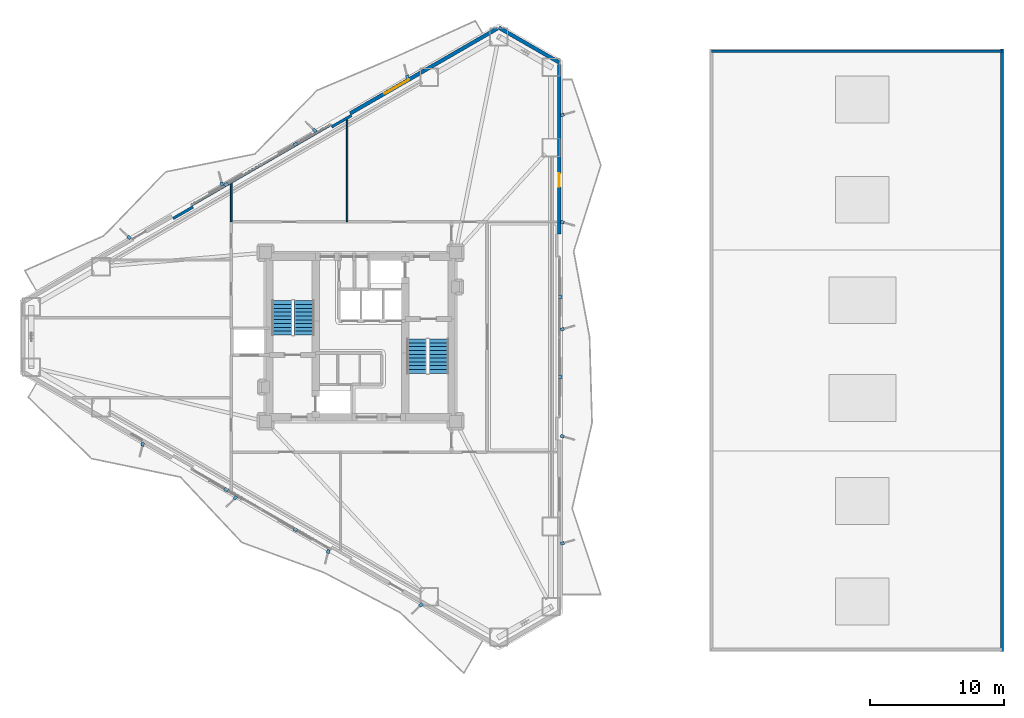
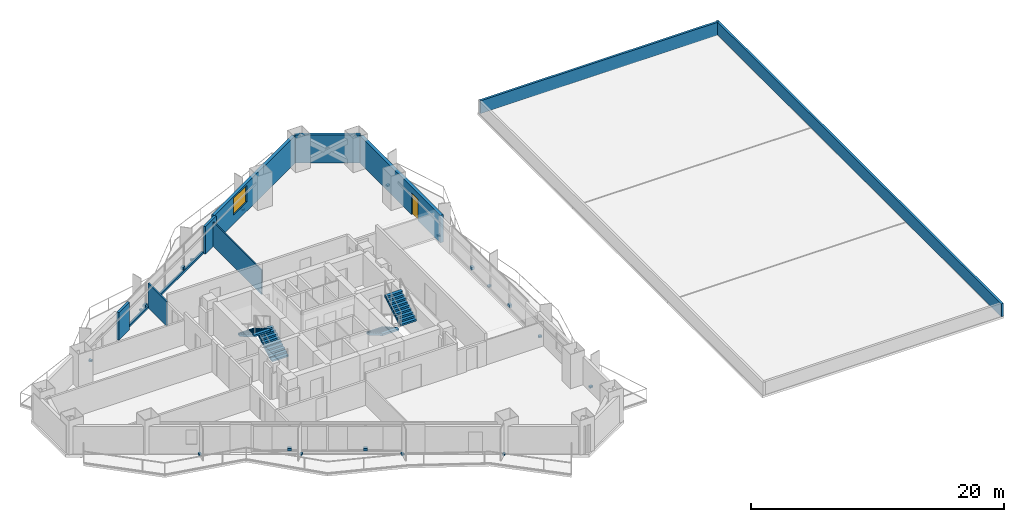
# One storey, part 14 of 16: 19 discrete accessories, 10 walls, 4 stair flights, 1 door, 1 window, 2 openings, 2 elements without a shape of their own.
"""IFC4 building model written with IfcOpenShell, lengths in metres."""

from ifc_helpers import new_model, si_unit, direction, frame, frame_2d, origin, origin_2d, place, context, subcontext, project, spatial, polyline, rectangle, outline, extrude, material, layer, layer_set, type_object, element, fill, aggregate, save


model = new_model("IFC4")

# Units and contexts
model_context = context("Model", 3, precision=1e-05, world=origin(), true_north=direction((0.0, 1.0)))
body_context = subcontext(model_context, "Body", "Model", "MODEL_VIEW")
ifc_project = project(units=[si_unit("LENGTHUNIT", "METRE"), si_unit("AREAUNIT", "SQUARE_METRE"), si_unit("VOLUMEUNIT", "CUBIC_METRE"), si_unit("PLANEANGLEUNIT", "RADIAN"), si_unit("MASSUNIT", "GRAM", prefix="KILO")], contexts=[model_context])

# Site, building, storey
site_placement = place(None, origin())
site = spatial("IfcSite", under=ifc_project, at=site_placement, CompositionType="ELEMENT")
building_placement = place(site_placement, origin())
building = spatial("IfcBuilding", under=site, at=building_placement, Name="Mersakhor Tower and Convention Hall", CompositionType="ELEMENT")
storey_placement = place(building_placement, frame((0.0, 0.0, 19.199951171875)))
storey = spatial("IfcBuildingStorey", under=building, at=storey_placement, Name="L04", CompositionType="ELEMENT", Elevation=19.199951171875)

# Wall
ifc_material_1 = material(Name="Precast concrete C45/55", Category="concrete")
ifc_layer_1 = layer(ifc_material_1, 0.27490234375)
ifc_layer_set_1 = layer_set([ifc_layer_1], Name="Precast concrete C45/55")
wall_type_1 = type_object("IfcWallType", Name="WL-EXT-275", PredefinedType="SOLIDWALL", material=ifc_layer_set_1)
wall_1_placement = place(storey_placement, frame((39.3369140625, 49.865234375, 0.0), z_axis=(0.0, 0.0, 1.0), x_axis=(0.866043601342, -0.499968479581, 0.0)))
element("IfcWall", 1, at=wall_1_placement, inside=storey, type_object=wall_type_1, Name="L04 Chamfer Braced Spandrel Wall C1", PredefinedType="SOLIDWALL", context=body_context, shape_type="SweptSolid", body=[
    extrude(rectangle(XDim=5.211181640625, YDim=0.27490234375, at=frame_2d((2.60546875, 0.0))), origin(), (0.0, 0.0, 1.0), 2.66015625),
])

# Wall, opening, window
wall_2_placement = place(storey_placement, frame((28.231689453125, 43.453857421875, 0.0), z_axis=(0.0, 0.0, 1.0), x_axis=(0.86603192154, 0.499988710747, 0.0)))
wall_2 = element("IfcWall", 2, at=wall_2_placement, inside=storey, type_object=wall_type_1, Name="L04 Exterior Facade Wall F1-B3", PredefinedType="SOLIDWALL", context=body_context, shape_type="SweptSolid", body=[
    extrude(rectangle(XDim=12.673095703125, YDim=0.27490234375, at=frame_2d((6.33642578125, 0.0))), origin(), (0.0, 0.0, 1.0), 2.66015625),
])
opening_1_placement = place(wall_2_placement, frame((2.9599609375, 0.0, 0.89990234375)))
opening_1 = element("IfcOpeningElement", 3, at=opening_1_placement, cuts=wall_2, Name="Opening W-04", PredefinedType="OPENING", context=body_context, shape_type="SweptSolid", body=[
    extrude(rectangle(XDim=2.10009765625, YDim=1.60009765625, at=frame_2d((1.050048828125, 0.800048828125))), frame((0.0, 0.1474609375, 0.0), z_axis=(0.0, -1.0, 0.0), x_axis=(1.0, 0.0, 0.0)), (0.0, 0.0, 1.0), 0.294921875),
])
ifc_material_2 = material(Name="Dark solar low-E glazed aluminium window", Category="aluminium")
window_type = type_object("IfcWindowType", Name="WN-RES-210x160", PartitioningType="SINGLE_PANEL", PredefinedType="WINDOW", material=ifc_material_2)
window_placement = place(opening_1_placement, origin())
window = element("IfcWindow", 4, at=window_placement, inside=storey, type_object=window_type, Name="L04 Facade Punched Window F1-B3", OverallHeight=1.60009765625, OverallWidth=2.10009765625, PartitioningType="SINGLE_PANEL", PredefinedType="WINDOW", context=body_context, shape_type="SweptSolid", body=[
    extrude(rectangle(XDim=2.10009765625, YDim=1.60009765625, at=frame_2d((1.050048828125, 0.800048828125))), frame((0.0, 0.030029296875, 0.0), z_axis=(0.0, -1.0, 0.0), x_axis=(1.0, 0.0, 0.0)), (0.0, 0.0, 1.0), 0.06005859375),
])
fill(opening_1, window)

# Wall, opening, door
wall_3_placement = place(storey_placement, frame((43.85009765625, 47.109619140625, 0.0), z_axis=(0.0, 0.0, 1.0), x_axis=(0.0, -1.0, 0.0)))
wall_3 = element("IfcWall", 5, at=wall_3_placement, inside=storey, type_object=wall_type_1, Name="L04 Exterior Facade Wall F2-B1", PredefinedType="SOLIDWALL", context=body_context, shape_type="SweptSolid", body=[
    extrude(rectangle(XDim=12.673095703125, YDim=0.27490234375, at=frame_2d((6.33642578125, 0.0))), origin(), (0.0, 0.0, 1.0), 2.66015625),
])
opening_2_placement = place(wall_3_placement, frame((8.135986328125, 0.0, 0.0)))
opening_2 = element("IfcOpeningElement", 6, at=opening_2_placement, cuts=wall_3, Name="Opening BD-01", PredefinedType="OPENING", context=body_context, shape_type="SweptSolid", body=[
    extrude(rectangle(XDim=1.0, YDim=2.10009765625, at=frame_2d((0.5, 1.050048828125))), frame((0.0, 0.1474609375, 0.0), z_axis=(0.0, -1.0, 0.0), x_axis=(1.0, 0.0, 0.0)), (0.0, 0.0, 1.0), 0.294921875),
])
ifc_material_3 = material(Name="Thermally broken dark aluminium and safety glass", Category="aluminium")
door_type = type_object("IfcDoorType", Name="DR-BAL-100x210", OperationType="NOTDEFINED", PredefinedType="DOOR", material=ifc_material_3)
door_placement = place(opening_2_placement, origin())
door = element("IfcDoor", 7, at=door_placement, inside=storey, type_object=door_type, Name="L04 Balcony Terrace Door F2-B1", OperationType="SINGLE_SWING_LEFT", OverallHeight=2.10009765625, OverallWidth=1.0, PredefinedType="DOOR", context=body_context, shape_type="SweptSolid", body=[
    extrude(rectangle(XDim=1.0, YDim=2.10009765625, at=frame_2d((0.5, 1.050048828125))), frame((0.0, 0.02490234375, 0.0), z_axis=(0.0, -1.0, 0.0), x_axis=(1.0, 0.0, 0.0)), (0.0, 0.0, 1.0), 0.050048828125),
])
fill(opening_2, door)

# Walls
ifc_material_4 = material(Name="Precast concrete C40/50", Category="concrete")
ifc_layer_2 = layer(ifc_material_4, 0.199951171875)
ifc_layer_set_2 = layer_set([ifc_layer_2], Name="Precast concrete C40/50")
wall_type_2 = type_object("IfcWallType", Name="WL-PAR-200", PredefinedType="PARAPET", material=ifc_layer_set_2)
wall_4_placement = place(storey_placement, frame((55.22509765625, 48.10009765625, 0.2099609375), z_axis=(0.0, 0.0, 1.0), x_axis=(1.0, 0.0, 0.0)))
element("IfcWall", 8, at=wall_4_placement, inside=storey, type_object=wall_type_2, Name="Convention Hall Roof Parapet Wall N", PredefinedType="PARAPET", context=body_context, shape_type="SweptSolid", body=[
    extrude(rectangle(XDim=21.699951171875, YDim=0.199951171875, at=frame_2d((10.85009765625, 0.0))), origin(), (0.0, 0.0, 1.0), 1.239990234375),
])
wall_5_placement = place(storey_placement, frame((76.925048828125, 48.25, 0.2099609375), z_axis=(0.0, 0.0, 1.0), x_axis=(0.0, -1.0, 0.0)))
element("IfcWall", 9, at=wall_5_placement, inside=storey, type_object=wall_type_2, Name="Convention Hall Roof Parapet Wall E", PredefinedType="PARAPET", context=body_context, shape_type="SweptSolid", body=[
    extrude(rectangle(XDim=45.0, YDim=0.199951171875, at=frame_2d((22.5, 0.0))), origin(), (0.0, 0.0, 1.0), 1.239990234375),
])
wall_6_placement = place(storey_placement, frame((16.390380859375, 36.6171875, 0.0), z_axis=(0.0, 0.0, 1.0), x_axis=(0.866027351828, 0.499996625875, 0.0)))
element("IfcWall", 10, at=wall_6_placement, inside=storey, type_object=wall_type_2, Name="L04 Curtain Wall Upstand Sill F1-B2", PredefinedType="PARAPET", context=body_context, shape_type="SweptSolid", body=[
    extrude(rectangle(XDim=11.97314453125, YDim=0.199951171875, at=frame_2d((5.986572265625, 0.0))), origin(), (0.0, 0.0, 1.0), 0.199951171875),
])
for number, where, z_axis, x_axis, name in (
    (11, (15.00830078125, 35.611328125, 0.0), (0.0, 0.0, 1.0), (0.86605165483, 0.499954529098, 0.0), "L04 Column Pier Cladding Wall F1-C1"),
    (12, (26.849609375, 42.447998046875, 0.0), (0.0, 0.0, 1.0), (0.86605165483, 0.499954529098, 0.0), "L04 Column Pier Cladding Wall F1-C2"),
):
    element("IfcWall", number, at=place(storey_placement, frame(where, z_axis=z_axis, x_axis=x_axis)), inside=storey, type_object=wall_type_2, Name=name, PredefinedType="PARAPET", context=body_context, shape_type="SweptSolid", body=[
        extrude(rectangle(XDim=1.699951171875, YDim=0.199951171875, at=frame_2d((0.85009765625, 0.0))), origin(), (0.0, 0.0, 1.0), 2.66015625),
    ])
ifc_material_5 = material(Name="Lightweight gypsum partition", Category="other")
ifc_layer_3 = layer(ifc_material_5, 0.10009765625)
ifc_layer_set_3 = layer_set([ifc_layer_3], Name="Lightweight gypsum partition")
wall_type_3 = type_object("IfcWallType", Name="WL-PRT-100", PredefinedType="PARTITIONING", material=ifc_layer_set_3)
wall_7_placement = place(storey_placement, frame((28.0, 42.968994140625, 0.0), z_axis=(0.0, 0.0, 1.0), x_axis=(0.0, -1.0, 0.0)))
element("IfcWall", 13, at=wall_7_placement, inside=storey, type_object=wall_type_3, Name="L04 Interior Partition Wall P-064", PredefinedType="PARTITIONING", context=body_context, shape_type="SweptSolid", body=[
    extrude(rectangle(XDim=7.618896484375, YDim=0.10009765625, at=frame_2d((3.8095703125, 0.0))), origin(), (0.0, 0.0, 1.0), 2.364990234375),
])
ifc_material_6 = material(Name="Gypsum board acoustic partition", Category="other")
ifc_layer_4 = layer(ifc_material_6, 0.125)
ifc_layer_set_4 = layer_set([ifc_layer_4], Name="Gypsum board acoustic partition")
wall_type_4 = type_object("IfcWallType", Name="WL-PRT-125", PredefinedType="PARTITIONING", material=ifc_layer_set_4)
wall_8_placement = place(storey_placement, frame((19.35009765625, 35.35009765625, 0.0), z_axis=(0.0, 0.0, 1.0), x_axis=(0.0, 1.0, 0.0)))
element("IfcWall", 14, at=wall_8_placement, inside=storey, type_object=wall_type_4, Name="L04 Interior Partition Wall P-063", PredefinedType="PARTITIONING", context=body_context, shape_type="SweptSolid", body=[
    extrude(rectangle(XDim=2.9296875, YDim=0.125, at=frame_2d((1.46484375, 0.0))), origin(), (0.0, 0.0, 1.0), 2.364990234375),
])

# Stair, stair flights
ifc_material_7 = material(Name="Concrete C45/55", Category="concrete")
stair_type = type_object("IfcStairType", Name="ST-TWR-20R", PredefinedType="HALF_TURN_STAIR", material=ifc_material_7)
stair_1_placement = place(storey_placement, origin())
stair_1 = element("IfcStair", 15, at=stair_1_placement, inside=storey, type_object=stair_type, Name="L04 Tower Protected Exit Stair ST-1", PredefinedType="HALF_TURN_STAIR")
ifc_material_8 = material(Name="Concrete C45/55", Category="concrete")
stair_flight_type = type_object("IfcStairFlightType", Name="SFL-TWR-20R", PredefinedType="STRAIGHT", material=ifc_material_8)
stair_flight_1_placement = place(storey_placement, frame((24.800048828125, 26.89990234375, 0.0), z_axis=(0.0, 0.0, 1.0), x_axis=(0.0, 1.0, 0.0)))
stair_flight_1 = element("IfcStairFlight", 16, at=stair_flight_1_placement, type_object=stair_flight_type, Name="ST-1 flight 1", NumberOfRisers=10, NumberOfTreads=9, PredefinedType="STRAIGHT", RiserHeight=0.165, TreadLength=0.285, context=body_context, shape_type="SweptSolid", body=[
    extrude(outline(polyline([(0.0, 0.0), (0.0, 0.1650390625), (0.284912109375, 0.1650390625), (0.284912109375, 0.330078125), (0.570068359375, 0.330078125), (0.570068359375, 0.4951171875), (0.85498046875, 0.4951171875), (0.85498046875, 0.659912109375), (1.139892578125, 0.659912109375), (1.139892578125, 0.824951171875), (1.425048828125, 0.824951171875), (1.425048828125, 0.989990234375), (1.7099609375, 0.989990234375), (1.7099609375, 1.155029296875), (1.9951171875, 1.155029296875), (1.9951171875, 1.320068359375), (2.280029296875, 1.320068359375), (2.280029296875, 1.485107421875), (2.56494140625, 1.485107421875), (2.56494140625, 1.64990234375), (2.56494140625, 1.311767578125), (0.299072265625, 0.0), (0.0, 0.0)])), frame((0.0, 0.75, 0.0), z_axis=(0.0, -1.0, 0.0), x_axis=(1.0, 0.0, 0.0)), (0.0, 0.0, 1.0), 1.5),
])
stair_flight_2_placement = place(storey_placement, frame((23.14990234375, 29.465087890625, 1.650146484375), z_axis=(0.0, 0.0, 1.0), x_axis=(0.0, -1.0, 0.0)))
stair_flight_2 = element("IfcStairFlight", 17, at=stair_flight_2_placement, type_object=stair_flight_type, Name="ST-1 flight 2", NumberOfRisers=10, NumberOfTreads=9, PredefinedType="STRAIGHT", RiserHeight=0.165, TreadLength=0.285, context=body_context, shape_type="SweptSolid", body=[
    extrude(outline(polyline([(0.0, 0.0), (0.0, 0.1650390625), (0.284912109375, 0.1650390625), (0.284912109375, 0.330078125), (0.570068359375, 0.330078125), (0.570068359375, 0.4951171875), (0.85498046875, 0.4951171875), (0.85498046875, 0.659912109375), (1.139892578125, 0.659912109375), (1.139892578125, 0.824951171875), (1.425048828125, 0.824951171875), (1.425048828125, 0.989990234375), (1.7099609375, 0.989990234375), (1.7099609375, 1.155029296875), (1.9951171875, 1.155029296875), (1.9951171875, 1.320068359375), (2.280029296875, 1.320068359375), (2.280029296875, 1.485107421875), (2.56494140625, 1.485107421875), (2.56494140625, 1.64990234375), (2.56494140625, 1.311767578125), (0.299072265625, 0.0), (0.0, 0.0)])), frame((0.0, 0.75, 0.0), z_axis=(0.0, -1.0, 0.0), x_axis=(1.0, 0.0, 0.0)), (0.0, 0.0, 1.0), 1.5),
])
aggregate(stair_1, [stair_flight_1, stair_flight_2])

stair_2_placement = place(storey_placement, origin())
stair_2 = element("IfcStair", 18, at=stair_2_placement, inside=storey, type_object=stair_type, Name="L04 Tower Protected Exit Stair ST-2", PredefinedType="HALF_TURN_STAIR")
stair_flight_3_placement = place(storey_placement, frame((33.199951171875, 26.60009765625, 0.0), z_axis=(0.0, 0.0, 1.0), x_axis=(0.0, -1.0, 0.0)))
stair_flight_3 = element("IfcStairFlight", 19, at=stair_flight_3_placement, type_object=stair_flight_type, Name="ST-2 flight 1", NumberOfRisers=10, NumberOfTreads=9, PredefinedType="STRAIGHT", RiserHeight=0.165, TreadLength=0.285, context=body_context, shape_type="SweptSolid", body=[
    extrude(outline(polyline([(0.0, 0.0), (0.0, 0.1650390625), (0.284912109375, 0.1650390625), (0.284912109375, 0.330078125), (0.570068359375, 0.330078125), (0.570068359375, 0.4951171875), (0.85498046875, 0.4951171875), (0.85498046875, 0.659912109375), (1.139892578125, 0.659912109375), (1.139892578125, 0.824951171875), (1.425048828125, 0.824951171875), (1.425048828125, 0.989990234375), (1.7099609375, 0.989990234375), (1.7099609375, 1.155029296875), (1.9951171875, 1.155029296875), (1.9951171875, 1.320068359375), (2.280029296875, 1.320068359375), (2.280029296875, 1.485107421875), (2.56494140625, 1.485107421875), (2.56494140625, 1.64990234375), (2.56494140625, 1.311767578125), (0.299072265625, 0.0), (0.0, 0.0)])), frame((0.0, 0.75, 0.0), z_axis=(0.0, -1.0, 0.0), x_axis=(1.0, 0.0, 0.0)), (0.0, 0.0, 1.0), 1.5),
])
stair_flight_4_placement = place(storey_placement, frame((34.85009765625, 24.034912109375, 1.650146484375), z_axis=(0.0, 0.0, 1.0), x_axis=(0.0, 1.0, 0.0)))
stair_flight_4 = element("IfcStairFlight", 20, at=stair_flight_4_placement, type_object=stair_flight_type, Name="ST-2 flight 2", NumberOfRisers=10, NumberOfTreads=9, PredefinedType="STRAIGHT", RiserHeight=0.165, TreadLength=0.285, context=body_context, shape_type="SweptSolid", body=[
    extrude(outline(polyline([(0.0, 0.0), (0.0, 0.1650390625), (0.284912109375, 0.1650390625), (0.284912109375, 0.330078125), (0.570068359375, 0.330078125), (0.570068359375, 0.4951171875), (0.85498046875, 0.4951171875), (0.85498046875, 0.659912109375), (1.139892578125, 0.659912109375), (1.139892578125, 0.824951171875), (1.425048828125, 0.824951171875), (1.425048828125, 0.989990234375), (1.7099609375, 0.989990234375), (1.7099609375, 1.155029296875), (1.9951171875, 1.155029296875), (1.9951171875, 1.320068359375), (2.280029296875, 1.320068359375), (2.280029296875, 1.485107421875), (2.56494140625, 1.485107421875), (2.56494140625, 1.64990234375), (2.56494140625, 1.311767578125), (0.299072265625, 0.0), (0.0, 0.0)])), frame((0.0, 0.75, 0.0), z_axis=(0.0, -1.0, 0.0), x_axis=(1.0, 0.0, 0.0)), (0.0, 0.0, 1.0), 1.5),
])
aggregate(stair_2, [stair_flight_3, stair_flight_4])

# Discrete accessories
ifc_material_9 = material(Name="Galvanised steel bracket", Category="steel")
ifc_layer_5 = layer(ifc_material_9, 0.02001953125)
ifc_layer_set_5 = layer_set([ifc_layer_5], Name="Galvanised steel bracket")
discrete_accessory_type = type_object("IfcDiscreteAccessoryType", Name="ACC-BRK-STL", PredefinedType="BRACKET", material=ifc_layer_set_5)
for number, where, z_axis, x_axis, name in (
    (21, (18.957763671875, 38.156982421875, 0.2900390625), (0.0, 0.0, 1.0), (0.866025403784, 0.5, 0.0), "L04 Solar Screen Outrigger Bracket BRK-1-1"),
    (22, (24.142333984375, 41.150390625, 0.2900390625), (0.0, 0.0, 1.0), (0.866025403784, 0.5, 0.0), "L04 Solar Screen Outrigger Bracket BRK-1-2"),
):
    element("IfcDiscreteAccessory", number, at=place(storey_placement, frame(where, z_axis=z_axis, x_axis=x_axis)), inside=storey, type_object=discrete_accessory_type, Name=name, PredefinedType="BRACKET", context=body_context, shape_type="SweptSolid", body=[
        extrude(rectangle(XDim=0.300048828125, YDim=0.239990234375, at=origin_2d()), origin(), (0.0, 0.0, 1.0), 0.260009765625),
    ])
for number, where, z_axis, x_axis, name in (
    (23, (11.713623046875, 34.1826171875, -0.02001953125), (0.0, 0.0, 1.0), (-0.719339800339, 0.694658370459, 0.0), "L04 Facade Fin Base Cleat Bracket FBRK-1-1"),
    (24, (18.641845703125, 38.1826171875, -0.02001953125), (0.0, 0.0, 1.0), (-0.2419218956, 0.970295726276, 0.0), "L04 Facade Fin Base Cleat Bracket FBRK-1-2"),
    (25, (25.570068359375, 42.1826171875, -0.02001953125), (0.0, 0.0, 1.0), (-0.719339800339, 0.694658370459, 0.0), "L04 Facade Fin Base Cleat Bracket FBRK-1-3"),
    (26, (32.498291015625, 46.1826171875, -0.02001953125), (0.0, 0.0, 1.0), (-0.2419218956, 0.970295726276, 0.0), "L04 Facade Fin Base Cleat Bracket FBRK-1-4"),
):
    element("IfcDiscreteAccessory", number, at=place(storey_placement, frame(where, z_axis=z_axis, x_axis=x_axis)), inside=storey, type_object=discrete_accessory_type, Name=name, PredefinedType="BRACKET", context=body_context, shape_type="SweptSolid", body=[
        extrude(rectangle(XDim=0.280029296875, YDim=0.219970703125, at=origin_2d()), origin(), (0.0, 0.0, 1.0), 0.159912109375),
    ])
for number, where, z_axis, x_axis, name in (
    (27, (43.89990234375, 29.743408203125, 0.2900390625), (0.0, 0.0, 1.0), (0.0, -1.0, 0.0), "L04 Solar Screen Outrigger Bracket BRK-2-1"),
    (28, (43.89990234375, 23.756591796875, 0.2900390625), (0.0, 0.0, 1.0), (0.0, -1.0, 0.0), "L04 Solar Screen Outrigger Bracket BRK-2-2"),
):
    element("IfcDiscreteAccessory", number, at=place(storey_placement, frame(where, z_axis=z_axis, x_axis=x_axis)), inside=storey, type_object=discrete_accessory_type, Name=name, PredefinedType="BRACKET", context=body_context, shape_type="SweptSolid", body=[
        extrude(rectangle(XDim=0.300048828125, YDim=0.239990234375, at=origin_2d()), origin(), (0.0, 0.0, 1.0), 0.260009765625),
    ])
for number, where, z_axis, x_axis, name in (
    (29, (44.080078125, 43.33740234375, -0.02001953125), (0.0, 0.0, 1.0), (0.961261695938, 0.275637355817, 0.0), "L04 Facade Fin Base Cleat Bracket FBRK-2-1"),
    (30, (44.080078125, 35.33740234375, -0.02001953125), (0.0, 0.0, 1.0), (0.961261695938, -0.275637355817, 0.0), "L04 Facade Fin Base Cleat Bracket FBRK-2-2"),
    (31, (44.080078125, 27.33740234375, -0.02001953125), (0.0, 0.0, 1.0), (0.961261695938, 0.275637355817, 0.0), "L04 Facade Fin Base Cleat Bracket FBRK-2-3"),
    (32, (44.080078125, 19.33740234375, -0.02001953125), (0.0, 0.0, 1.0), (0.961261695938, -0.275637355817, 0.0), "L04 Facade Fin Base Cleat Bracket FBRK-2-4"),
    (33, (44.080078125, 11.33740234375, -0.02001953125), (0.0, 0.0, 1.0), (0.961261695938, 0.275637355817, 0.0), "L04 Facade Fin Base Cleat Bracket FBRK-2-5"),
):
    element("IfcDiscreteAccessory", number, at=place(storey_placement, frame(where, z_axis=z_axis, x_axis=x_axis)), inside=storey, type_object=discrete_accessory_type, Name=name, PredefinedType="BRACKET", context=body_context, shape_type="SweptSolid", body=[
        extrude(rectangle(XDim=0.280029296875, YDim=0.219970703125, at=origin_2d()), origin(), (0.0, 0.0, 1.0), 0.159912109375),
    ])
for number, where, z_axis, x_axis, name in (
    (34, (24.14208984375, 12.349609375, 0.2900390625), (0.0, 0.0, 1.0), (-0.866025403784, 0.5, 0.0), "L04 Solar Screen Outrigger Bracket BRK-3-1"),
    (35, (18.957763671875, 15.3427734375, 0.2900390625), (0.0, 0.0, 1.0), (-0.866025403784, 0.5, 0.0), "L04 Solar Screen Outrigger Bracket BRK-3-2"),
):
    element("IfcDiscreteAccessory", number, at=place(storey_placement, frame(where, z_axis=z_axis, x_axis=x_axis)), inside=storey, type_object=discrete_accessory_type, Name=name, PredefinedType="BRACKET", context=body_context, shape_type="SweptSolid", body=[
        extrude(rectangle(XDim=0.300048828125, YDim=0.239990234375, at=origin_2d()), origin(), (0.0, 0.0, 1.0), 0.260009765625),
    ])
for number, where, z_axis, x_axis, name in (
    (36, (33.515625, 6.72998046875, -0.02001953125), (0.0, 0.0, 1.0), (-0.719339800339, -0.694658370459, 0.0), "L04 Facade Fin Base Cleat Bracket FBRK-3-1"),
    (37, (26.58740234375, 10.72998046875, -0.02001953125), (0.0, 0.0, 1.0), (-0.2419218956, -0.970295726276, 0.0), "L04 Facade Fin Base Cleat Bracket FBRK-3-2"),
    (38, (19.6591796875, 14.72998046875, -0.02001953125), (0.0, 0.0, 1.0), (-0.719339800339, -0.694658370459, 0.0), "L04 Facade Fin Base Cleat Bracket FBRK-3-3"),
    (39, (12.73095703125, 18.72998046875, -0.02001953125), (0.0, 0.0, 1.0), (-0.2419218956, -0.970295726276, 0.0), "L04 Facade Fin Base Cleat Bracket FBRK-3-4"),
):
    element("IfcDiscreteAccessory", number, at=place(storey_placement, frame(where, z_axis=z_axis, x_axis=x_axis)), inside=storey, type_object=discrete_accessory_type, Name=name, PredefinedType="BRACKET", context=body_context, shape_type="SweptSolid", body=[
        extrude(rectangle(XDim=0.280029296875, YDim=0.219970703125, at=origin_2d()), origin(), (0.0, 0.0, 1.0), 0.159912109375),
    ])

save(model, "model.ifc")
